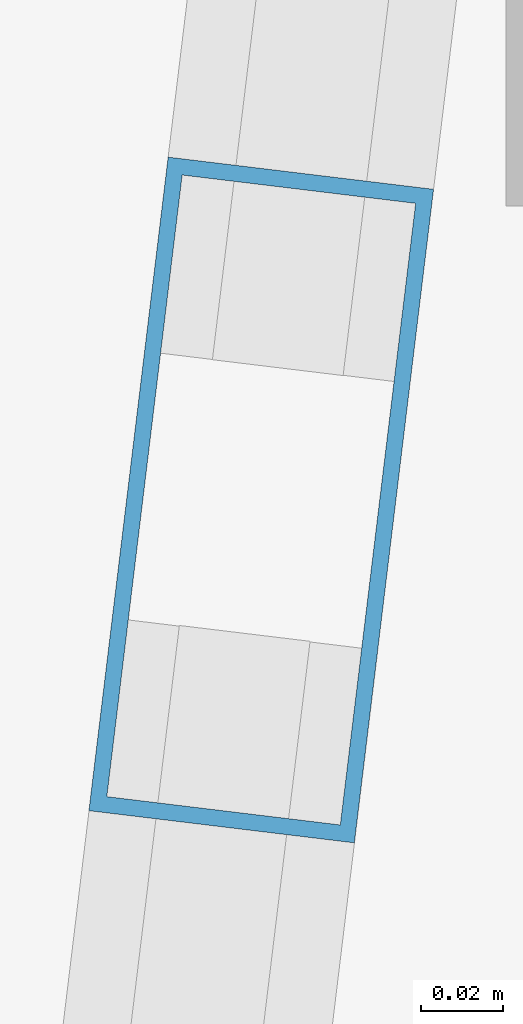
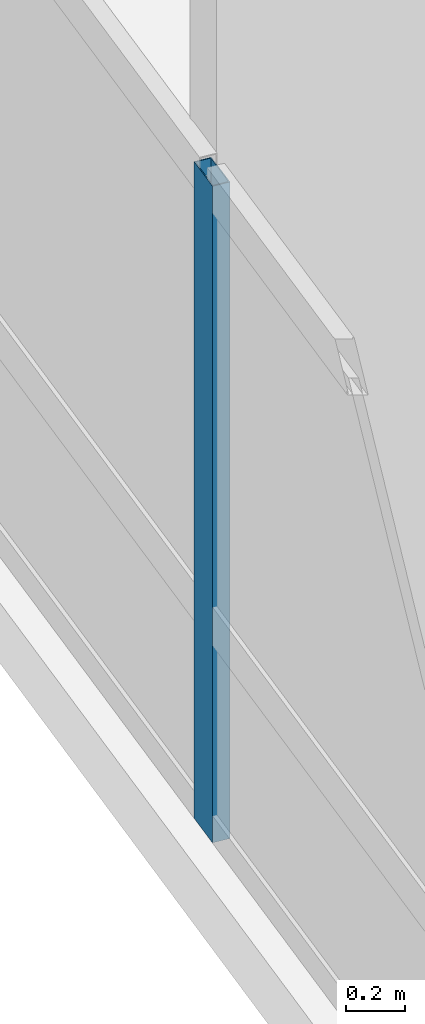
# One storey, part 4 of 26: 1 member, 1 element without a shape of its own.
"""IFC4 building model written with IfcOpenShell, lengths in metres."""

from ifc_helpers import new_model, si_unit, direction, frame, origin, origin_2d, place, context, subcontext, project, spatial, hollow_rectangle, extrude, material, layer, layer_set, material_profile, profile_set, type_object, element, aggregate, save


model = new_model("IFC4")

# Units and contexts
model_context = context("Model", 3, precision=1e-05, world=origin(), true_north=direction((0.0, 1.0)))
body_context = subcontext(model_context, "Body", "Model", "MODEL_VIEW")
ifc_project = project(units=[si_unit("LENGTHUNIT", "METRE"), si_unit("AREAUNIT", "SQUARE_METRE"), si_unit("VOLUMEUNIT", "CUBIC_METRE"), si_unit("PLANEANGLEUNIT", "RADIAN"), si_unit("MASSUNIT", "GRAM", prefix="KILO")], contexts=[model_context])

# Site, building, storey
site_placement = place(None, origin())
site = spatial("IfcSite", under=ifc_project, at=site_placement, CompositionType="ELEMENT")
building_placement = place(site_placement, origin())
building = spatial("IfcBuilding", under=site, at=building_placement, Name="Varnelok Gate Tower", CompositionType="ELEMENT")
storey_placement = place(building_placement, frame((0.0, 0.0, 125.39990234375)))
storey = spatial("IfcBuildingStorey", under=building, at=storey_placement, Name="L31", CompositionType="ELEMENT", Elevation=125.39990234375)

# Curtain wall, member
ifc_material = material(Name="Anodized Aluminum Alloy 6063-T6", Category="aluminium")
ifc_layer = layer(ifc_material, 0.179931640625)
ifc_layer_set = layer_set([ifc_layer], Name="Anodized Aluminum Alloy 6063-T6")
curtain_wall_type = type_object("IfcCurtainWallType", Name="CW3-HOTEL-VISION", PredefinedType="USERDEFINED", material=ifc_layer_set)
curtain_wall_placement = place(storey_placement, origin())
curtain_wall = element("IfcCurtainWall", 1, at=curtain_wall_placement, inside=storey, type_object=curtain_wall_type, Name="L31 West End Vision Curtain Wall", ObjectType="UNITISED CURTAIN WALL", PredefinedType="USERDEFINED")
ifc_material_profile = material_profile(ifc_material, hollow_rectangle(XDim=0.06494140625, YDim=0.159912109375, WallThickness=0.00390625, at=origin_2d()), Name="ALU160X65X4")
ifc_profile_set = profile_set([ifc_material_profile], Name="Anodized Aluminum Alloy 6063-T6")
member_type = type_object("IfcMemberType", Name="CW-MULL-160", PredefinedType="MULLION", material=ifc_profile_set)
member_placement = place(storey_placement, frame((1.109619140625, 19.03857421875, 0.0), z_axis=(0.0, 0.0, 1.0), x_axis=(-0.99273188146, 0.120347046212, 0.0)))
member = element("IfcMember", 2, at=member_placement, type_object=member_type, Name="CW3 mullion 2", PredefinedType="MULLION", context=body_context, shape_type="SweptSolid", body=[
    extrude(hollow_rectangle(XDim=0.06494140625, YDim=0.159912109375, WallThickness=0.00390625, at=origin_2d()), origin(), (0.0, 0.0, 1.0), 2.72998046875),
])
aggregate(curtain_wall, [member])

save(model, "model.ifc")
